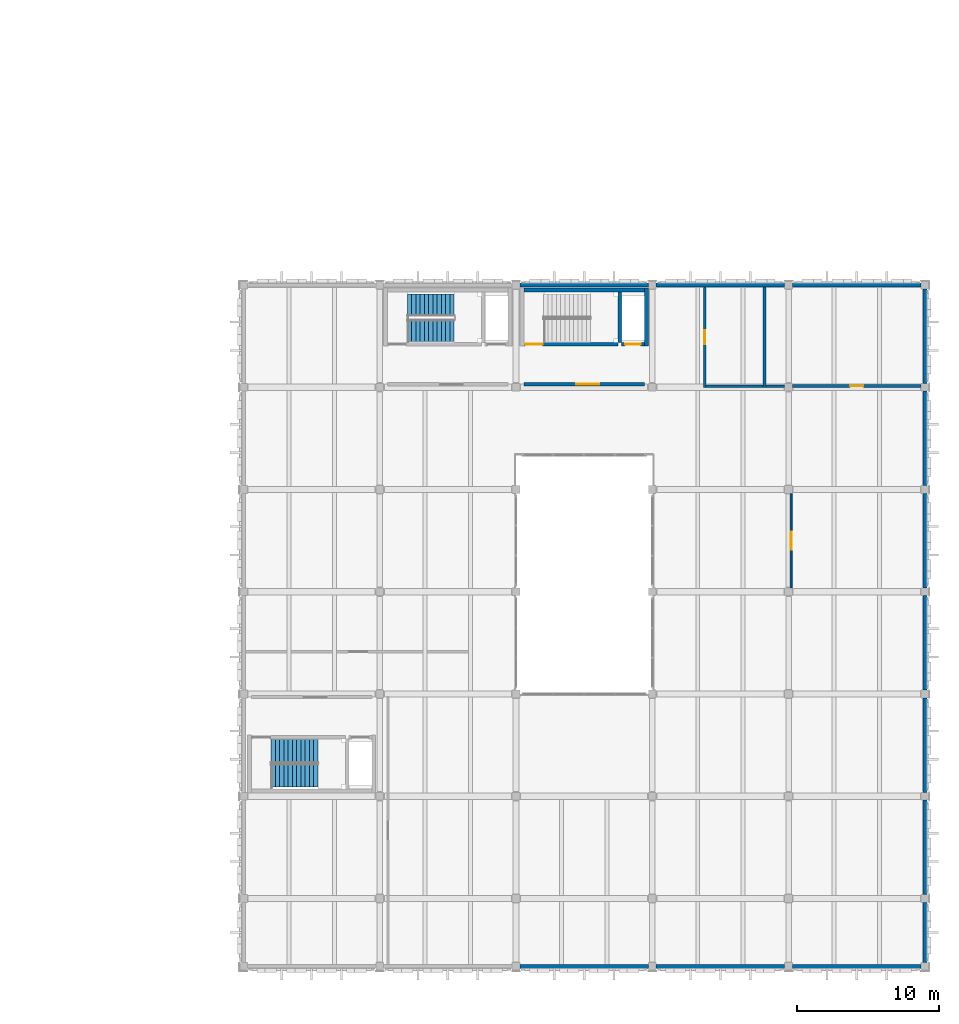
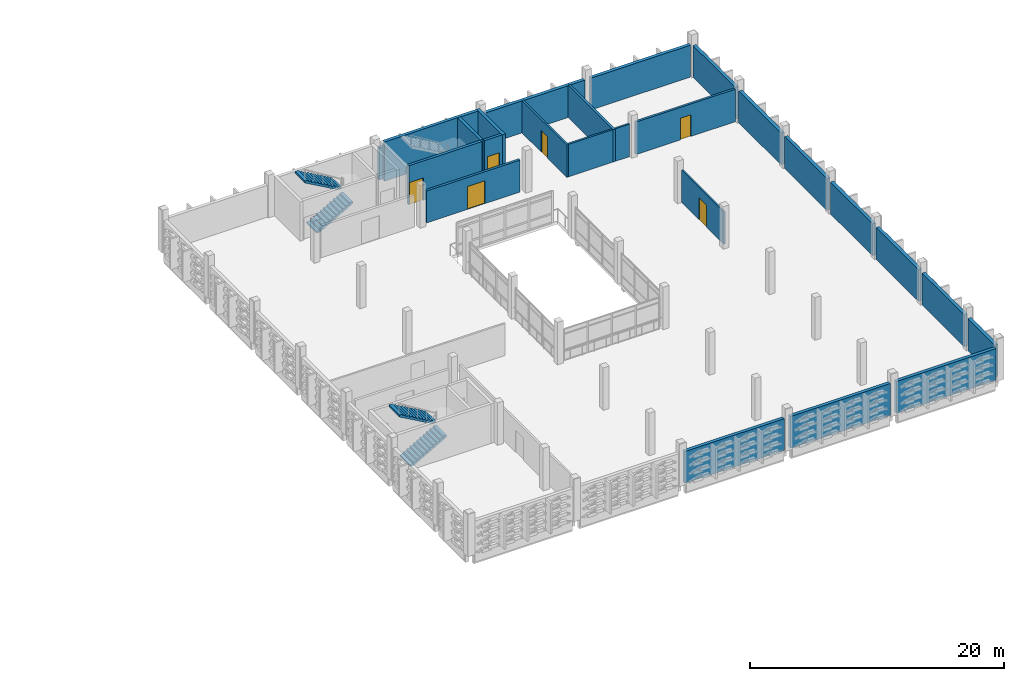
# One storey, part 58 of 72: 25 walls, 6 doors, 4 stair flights, 6 openings, 2 elements without a shape of their own.
"""IFC4 building model written with IfcOpenShell, lengths in metres."""

from ifc_helpers import new_model, si_unit, direction, frame, frame_2d, origin, place, context, subcontext, project, spatial, polyline, rectangle, outline, extrude, material, layer, layer_set, type_object, element, fill, aggregate, save


model = new_model("IFC4")

# Units and contexts
model_context = context("Model", 3, precision=1e-05, world=origin(), true_north=direction((0.0, 1.0)))
body_context = subcontext(model_context, "Body", "Model", "MODEL_VIEW")
ifc_project = project(units=[si_unit("LENGTHUNIT", "METRE"), si_unit("AREAUNIT", "SQUARE_METRE"), si_unit("VOLUMEUNIT", "CUBIC_METRE"), si_unit("PLANEANGLEUNIT", "RADIAN"), si_unit("MASSUNIT", "GRAM", prefix="KILO")], contexts=[model_context])

# Site, building, storey
site_placement = place(None, origin())
site = spatial("IfcSite", under=ifc_project, at=site_placement, CompositionType="ELEMENT")
building_placement = place(site_placement, origin())
building = spatial("IfcBuilding", under=site, at=building_placement, Name="Asteropetra Specialist Clinic", CompositionType="ELEMENT")
storey_placement = place(building_placement, frame((0.0, 0.0, 12.580078125)))
storey = spatial("IfcBuildingStorey", under=building, at=storey_placement, Name="L03", CompositionType="ELEMENT", Elevation=12.580078125)

# Walls
ifc_material_1 = material(Name="Chevron sage", Category="masonry")
ifc_layer_1 = layer(ifc_material_1, 0.294921875)
ifc_layer_set_1 = layer_set([ifc_layer_1], Name="Chevron sage")
wall_type_1 = type_object("IfcWallType", Name="EW-CHEV-AEG-295", PredefinedType="SOLIDWALL", material=ifc_layer_set_1)
for number, where, z_axis, x_axis, name in (
    (1, (125.074951171875, 0.0, 0.0), (0.0, 0.0, 1.0), (1.0, 0.0, 0.0), "Exterior Wall EW-0259"),
    (2, (134.125, 48.0, 0.0), (0.0, 0.0, 1.0), (-1.0, 0.0, 0.0), "Exterior Wall EW-0260"),
    (3, (134.675048828125, 0.0, 0.0), (0.0, 0.0, 1.0), (1.0, 0.0, 0.0), "Exterior Wall EW-0261"),
    (4, (143.72509765625, 48.0, 0.0), (0.0, 0.0, 1.0), (-1.0, 0.0, 0.0), "Exterior Wall EW-0262"),
    (5, (144.27490234375, 0.0, 0.0), (0.0, 0.0, 1.0), (1.0, 0.0, 0.0), "Exterior Wall EW-0263"),
    (6, (153.324951171875, 48.0, 0.0), (0.0, 0.0, 1.0), (-1.0, 0.0, 0.0), "Exterior Wall EW-0264"),
):
    element("IfcWall", number, at=place(storey_placement, frame(where, z_axis=z_axis, x_axis=x_axis)), inside=storey, type_object=wall_type_1, Name=name, PredefinedType="SOLIDWALL", context=body_context, shape_type="SweptSolid", body=[
        extrude(rectangle(XDim=9.050048828125, YDim=0.294921875, at=frame_2d((4.52490234375, 0.0))), origin(), (0.0, 0.0, 1.0), 3.059814453125),
    ])
wall_1_placement = place(storey_placement, frame((153.60009765625, 0.27490234375, 0.0), z_axis=(0.0, 0.0, 1.0), x_axis=(0.0, 1.0, 0.0)))
element("IfcWall", 7, at=wall_1_placement, inside=storey, type_object=wall_type_1, Name="Exterior Wall EW-0266", PredefinedType="SOLIDWALL", context=body_context, shape_type="SweptSolid", body=[
    extrude(rectangle(XDim=4.25, YDim=0.294921875, at=frame_2d((2.125, 0.0))), origin(), (0.0, 0.0, 1.0), 3.059814453125),
])
for number, where, z_axis, x_axis, name in (
    (8, (153.60009765625, 5.074951171875, 0.0), (0.0, 0.0, 1.0), (0.0, 1.0, 0.0), "Exterior Wall EW-0268"),
    (9, (153.60009765625, 12.27490234375, 0.0), (0.0, 0.0, 1.0), (0.0, 1.0, 0.0), "Exterior Wall EW-0270"),
):
    element("IfcWall", number, at=place(storey_placement, frame(where, z_axis=z_axis, x_axis=x_axis)), inside=storey, type_object=wall_type_1, Name=name, PredefinedType="SOLIDWALL", context=body_context, shape_type="SweptSolid", body=[
        extrude(rectangle(XDim=6.650146484375, YDim=0.294921875, at=frame_2d((3.3251953125, 0.0))), origin(), (0.0, 0.0, 1.0), 3.059814453125),
    ])
for number, where, z_axis, x_axis, name in (
    (10, (153.60009765625, 19.47509765625, 0.0), (0.0, 0.0, 1.0), (0.0, 1.0, 0.0), "Exterior Wall EW-0272"),
    (11, (153.60009765625, 26.675048828125, 0.0), (0.0, 0.0, 1.0), (0.0, 1.0, 0.0), "Exterior Wall EW-0274"),
    (12, (153.60009765625, 33.875, 0.0), (0.0, 0.0, 1.0), (0.0, 1.0, 0.0), "Exterior Wall EW-0276"),
):
    element("IfcWall", number, at=place(storey_placement, frame(where, z_axis=z_axis, x_axis=x_axis)), inside=storey, type_object=wall_type_1, Name=name, PredefinedType="SOLIDWALL", context=body_context, shape_type="SweptSolid", body=[
        extrude(rectangle(XDim=6.64990234375, YDim=0.294921875, at=frame_2d((3.324951171875, 0.0))), origin(), (0.0, 0.0, 1.0), 3.059814453125),
    ])
wall_2_placement = place(storey_placement, frame((153.60009765625, 41.074951171875, 0.0), z_axis=(0.0, 0.0, 1.0), x_axis=(0.0, 1.0, 0.0)))
element("IfcWall", 13, at=wall_2_placement, inside=storey, type_object=wall_type_1, Name="Exterior Wall EW-0278", PredefinedType="SOLIDWALL", context=body_context, shape_type="SweptSolid", body=[
    extrude(rectangle(XDim=6.650146484375, YDim=0.294921875, at=frame_2d((3.3251953125, 0.0))), origin(), (0.0, 0.0, 1.0), 3.059814453125),
])

# Wall, opening, door
ifc_material_2 = material(Name="Fire-rated masonry and gypsum", Category="masonry")
ifc_layer_2 = layer(ifc_material_2, 0.219970703125)
ifc_layer_set_2 = layer_set([ifc_layer_2], Name="Fire-rated masonry and gypsum")
wall_type_2 = type_object("IfcWallType", Name="W-COMP-220", PredefinedType="PARTITIONING", material=ifc_layer_set_2)
wall_3_placement = place(storey_placement, frame((125.360107421875, 41.02001953125, 0.0), z_axis=(0.0, 0.0, 1.0), x_axis=(1.0, 0.0, 0.0)))
wall_3 = element("IfcWall", 14, at=wall_3_placement, inside=storey, type_object=wall_type_2, Name="Core Wall CW-C9-L03-LOB", PredefinedType="PARTITIONING", context=body_context, shape_type="SweptSolid", body=[
    extrude(rectangle(XDim=8.47998046875, YDim=0.219970703125, at=frame_2d((4.239990234375, 0.0))), origin(), (0.0, 0.0, 1.0), 3.059814453125),
])
opening_1_placement = place(wall_3_placement, frame((3.699951171875, 0.0, 0.0)))
opening_1 = element("IfcOpeningElement", 15, at=opening_1_placement, cuts=wall_3, Name="Opening FD-082", PredefinedType="OPENING", context=body_context, shape_type="SweptSolid", body=[
    extrude(rectangle(XDim=1.60009765625, YDim=2.199951171875, at=frame_2d((0.800048828125, 1.10009765625))), frame((0.0, 0.119873046875, 0.0), z_axis=(0.0, -1.0, 0.0), x_axis=(1.0, 0.0, 0.0)), (0.0, 0.0, 1.0), 0.239990234375),
])
ifc_material_3 = material(Name="Fire-rated steel and vision glass door", Category="steel")
door_type_1 = type_object("IfcDoorType", Name="FD-LOBBY-1600", OperationType="DOUBLE_DOOR_SINGLE_SWING", PredefinedType="DOOR", material=ifc_material_3)
door_1_placement = place(opening_1_placement, origin())
door_1 = element("IfcDoor", 16, at=door_1_placement, inside=storey, type_object=door_type_1, Name="Lobby Fire Door FD-082", OperationType="DOUBLE_DOOR_SINGLE_SWING", OverallHeight=2.199951171875, OverallWidth=1.60009765625, PredefinedType="DOOR", context=body_context, shape_type="SweptSolid", body=[
    extrude(rectangle(XDim=1.60009765625, YDim=2.199951171875, at=frame_2d((0.800048828125, 1.10009765625))), frame((0.0, 0.02490234375, 0.0), z_axis=(0.0, -1.0, 0.0), x_axis=(1.0, 0.0, 0.0)), (0.0, 0.0, 1.0), 0.050048828125),
])
fill(opening_1, door_1)

# Walls
ifc_material_4 = material(Name="Concrete C35/45", Category="concrete")
ifc_layer_3 = layer(ifc_material_4, 0.280029296875)
ifc_layer_set_3 = layer_set([ifc_layer_3], Name="Concrete C35/45")
wall_type_3 = type_object("IfcWallType", Name="W-CORE-280", PredefinedType="SHEAR", material=ifc_layer_set_3)
wall_4_placement = place(storey_placement, frame((133.97998046875, 43.699951171875, 0.0), z_axis=(0.0, 0.0, 1.0), x_axis=(0.0, 1.0, 0.0)))
element("IfcWall", 17, at=wall_4_placement, inside=storey, type_object=wall_type_3, Name="Core Wall CW-C9-L03-E", PredefinedType="SHEAR", context=body_context, shape_type="SweptSolid", body=[
    extrude(rectangle(XDim=4.080078125, YDim=0.280029296875, at=frame_2d((2.0400390625, 0.0))), origin(), (0.0, 0.0, 1.0), 3.780029296875),
])
wall_5_placement = place(storey_placement, frame((125.35498046875, 47.639892578125, 0.0), z_axis=(0.0, 0.0, 1.0), x_axis=(1.0, 0.0, 0.0)))
element("IfcWall", 18, at=wall_5_placement, inside=storey, type_object=wall_type_3, Name="Core Wall CW-C9-L03-BACK", PredefinedType="SHEAR", context=body_context, shape_type="SweptSolid", body=[
    extrude(rectangle(XDim=8.489990234375, YDim=0.280029296875, at=frame_2d((4.2451171875, 0.0))), origin(), (0.0, 0.0, 1.0), 3.780029296875),
])

# Wall, opening, door
ifc_material_5 = material(Name="Laboratory partition", Category="masonry")
ifc_layer_4 = layer(ifc_material_5, 0.139892578125)
ifc_layer_set_4 = layer_set([ifc_layer_4], Name="Laboratory partition")
wall_type_4 = type_object("IfcWallType", Name="W-PART-140", PredefinedType="PARTITIONING", material=ifc_layer_set_4)
wall_6_placement = place(storey_placement, frame((144.179931640625, 26.679931640625, 0.0), z_axis=(0.0, 0.0, 1.0), x_axis=(0.0, 1.0, 0.0)))
wall_6 = element("IfcWall", 19, at=wall_6_placement, inside=storey, type_object=wall_type_4, Name="Interior Partition PW-0157", PredefinedType="PARTITIONING", context=body_context, shape_type="SweptSolid", body=[
    extrude(rectangle(XDim=6.64013671875, YDim=0.139892578125, at=frame_2d((3.320068359375, 0.0))), origin(), (0.0, 0.0, 1.0), 3.119873046875),
])
opening_2_placement = place(wall_6_placement, frame((2.695068359375, 0.0, 0.0)))
opening_2 = element("IfcOpeningElement", 20, at=opening_2_placement, cuts=wall_6, Name="Opening ID-0105", PredefinedType="OPENING", context=body_context, shape_type="SweptSolid", body=[
    extrude(rectangle(XDim=1.25, YDim=2.1201171875, at=frame_2d((0.625, 1.06005859375))), frame((0.0, 0.079833984375, 0.0), z_axis=(0.0, -1.0, 0.0), x_axis=(1.0, 0.0, 0.0)), (0.0, 0.0, 1.0), 0.159912109375),
])
ifc_material_6 = material(Name="Antimicrobial laminate timber leaf in steel frame", Category="steel")
door_type_2 = type_object("IfcDoorType", Name="ID-SEMIN-1250", OperationType="NOTDEFINED", PredefinedType="DOOR", material=ifc_material_6)
door_2_placement = place(opening_2_placement, origin())
door_2 = element("IfcDoor", 21, at=door_2_placement, inside=storey, type_object=door_type_2, Name="Interior Door ID-0105", OperationType="SINGLE_SWING_RIGHT", OverallHeight=2.1201171875, OverallWidth=1.25, PredefinedType="DOOR", context=body_context, shape_type="SweptSolid", body=[
    extrude(rectangle(XDim=1.25, YDim=2.1201171875, at=frame_2d((0.625, 1.06005859375))), frame((0.0, 0.02490234375, 0.0), z_axis=(0.0, -1.0, 0.0), x_axis=(1.0, 0.0, 0.0)), (0.0, 0.0, 1.0), 0.050048828125),
])
fill(opening_2, door_2)

ifc_material_7 = material(Name="En-suite plumbing wall", Category="masonry")
ifc_layer_5 = layer(ifc_material_7, 0.169921875)
ifc_layer_set_5 = layer_set([ifc_layer_5], Name="En-suite plumbing wall")
wall_type_5 = type_object("IfcWallType", Name="W-PLUMB-170", PredefinedType="PLUMBINGWALL", material=ifc_layer_set_5)
wall_7_placement = place(storey_placement, frame((138.090087890625, 40.794921875, 0.0), z_axis=(0.0, 0.0, 1.0), x_axis=(0.0, 1.0, 0.0)))
wall_7 = element("IfcWall", 22, at=wall_7_placement, inside=storey, type_object=wall_type_5, Name="Interior Partition PW-0143", PredefinedType="PLUMBINGWALL", context=body_context, shape_type="SweptSolid", body=[
    extrude(rectangle(XDim=7.0556640625, YDim=0.169921875, at=frame_2d((3.52783203125, 0.0))), origin(), (0.0, 0.0, 1.0), 3.10986328125),
])
opening_3_placement = place(wall_7_placement, frame((3.03759765625, 0.0, 0.0)))
opening_3 = element("IfcOpeningElement", 23, at=opening_3_placement, cuts=wall_7, Name="Opening ID-0094", PredefinedType="OPENING", context=body_context, shape_type="SweptSolid", body=[
    extrude(rectangle(XDim=0.97998046875, YDim=2.080078125, at=frame_2d((0.489990234375, 1.0400390625))), frame((0.0, 0.094970703125, 0.0), z_axis=(0.0, -1.0, 0.0), x_axis=(1.0, 0.0, 0.0)), (0.0, 0.0, 1.0), 0.18994140625),
])
ifc_material_8 = material(Name="Antimicrobial laminate timber leaf in steel frame", Category="steel")
door_type_3 = type_object("IfcDoorType", Name="ID-AWC-0980", OperationType="NOTDEFINED", PredefinedType="DOOR", material=ifc_material_8)
door_3_placement = place(opening_3_placement, origin())
door_3 = element("IfcDoor", 24, at=door_3_placement, inside=storey, type_object=door_type_3, Name="Interior Door ID-0094", OperationType="SINGLE_SWING_LEFT", OverallHeight=2.080078125, OverallWidth=0.97998046875, PredefinedType="DOOR", context=body_context, shape_type="SweptSolid", body=[
    extrude(rectangle(XDim=0.97998046875, YDim=2.080078125, at=frame_2d((0.489990234375, 1.0400390625))), frame((0.0, 0.02490234375, 0.0), z_axis=(0.0, -1.0, 0.0), x_axis=(1.0, 0.0, 0.0)), (0.0, 0.0, 1.0), 0.050048828125),
])
fill(opening_3, door_3)

# Walls
wall_8_placement = place(storey_placement, frame((138.177001953125, 40.889892578125, 0.0), z_axis=(0.0, 0.0, 1.0), x_axis=(1.0, 0.0, 0.0)))
element("IfcWall", 25, at=wall_8_placement, inside=storey, type_object=wall_type_5, Name="Interior Partition PW-0145", PredefinedType="PLUMBINGWALL", context=body_context, shape_type="SweptSolid", body=[
    extrude(rectangle(XDim=4.031005859375, YDim=0.169921875, at=frame_2d((2.015625, 0.0))), origin(), (0.0, 0.0, 1.0), 3.119873046875),
])
wall_9_placement = place(storey_placement, frame((142.412109375, 40.889892578125, 0.0), z_axis=(0.0, 0.0, 1.0), x_axis=(1.0, 0.0, 0.0)))
element("IfcWall", 26, at=wall_9_placement, inside=storey, type_object=wall_type_5, Name="Interior Partition PW-0147", PredefinedType="PLUMBINGWALL", context=body_context, shape_type="SweptSolid", body=[
    extrude(rectangle(XDim=1.307861328125, YDim=0.169921875, at=frame_2d((0.65380859375, 0.0))), origin(), (0.0, 0.0, 1.0), 3.119873046875),
])
ifc_material_9 = material(Name="Sanitary service-chase wall", Category="masonry")
ifc_layer_6 = layer(ifc_material_9, 0.199951171875)
ifc_layer_set_6 = layer_set([ifc_layer_6], Name="Sanitary service-chase wall")
wall_type_6 = type_object("IfcWallType", Name="W-PLUMB-200", PredefinedType="PLUMBINGWALL", material=ifc_layer_set_6)
wall_10_placement = place(storey_placement, frame((142.31005859375, 40.794921875, 0.0), z_axis=(0.0, 0.0, 1.0), x_axis=(0.0, 1.0, 0.0)))
element("IfcWall", 27, at=wall_10_placement, inside=storey, type_object=wall_type_6, Name="Interior Partition PW-0144", PredefinedType="PLUMBINGWALL", context=body_context, shape_type="SweptSolid", body=[
    extrude(rectangle(XDim=7.0556640625, YDim=0.199951171875, at=frame_2d((3.52783203125, 0.0))), origin(), (0.0, 0.0, 1.0), 3.10986328125),
])

# Wall, opening, door
wall_11_placement = place(storey_placement, frame((144.280029296875, 40.889892578125, 0.0), z_axis=(0.0, 0.0, 1.0), x_axis=(1.0, 0.0, 0.0)))
wall_11 = element("IfcWall", 28, at=wall_11_placement, inside=storey, type_object=wall_type_6, Name="Interior Partition PW-0146", PredefinedType="PLUMBINGWALL", context=body_context, shape_type="SweptSolid", body=[
    extrude(rectangle(XDim=9.0400390625, YDim=0.199951171875, at=frame_2d((4.52001953125, 0.0))), origin(), (0.0, 0.0, 1.0), 3.119873046875),
])
opening_4_placement = place(wall_11_placement, frame((4.06005859375, 0.0, 0.0)))
opening_4 = element("IfcOpeningElement", 29, at=opening_4_placement, cuts=wall_11, Name="Opening ID-0095", PredefinedType="OPENING", context=body_context, shape_type="SweptSolid", body=[
    extrude(rectangle(XDim=0.919921875, YDim=2.080078125, at=frame_2d((0.4599609375, 1.0400390625))), frame((0.0, 0.10986328125, 0.0), z_axis=(0.0, -1.0, 0.0), x_axis=(1.0, 0.0, 0.0)), (0.0, 0.0, 1.0), 0.219970703125),
])
ifc_material_10 = material(Name="Antimicrobial laminate timber leaf in steel frame", Category="steel")
door_type_4 = type_object("IfcDoorType", Name="ID-WC-0920", OperationType="NOTDEFINED", PredefinedType="DOOR", material=ifc_material_10)
door_4_placement = place(opening_4_placement, origin())
door_4 = element("IfcDoor", 30, at=door_4_placement, inside=storey, type_object=door_type_4, Name="Interior Door ID-0095", OperationType="SINGLE_SWING_RIGHT", OverallHeight=2.080078125, OverallWidth=0.919921875, PredefinedType="DOOR", context=body_context, shape_type="SweptSolid", body=[
    extrude(rectangle(XDim=0.919921875, YDim=2.080078125, at=frame_2d((0.4599609375, 1.0400390625))), frame((0.0, 0.02490234375, 0.0), z_axis=(0.0, -1.0, 0.0), x_axis=(1.0, 0.0, 0.0)), (0.0, 0.0, 1.0), 0.050048828125),
])
fill(opening_4, door_4)

# Wall
ifc_material_11 = material(Name="Concrete C35/45", Category="concrete")
ifc_layer_7 = layer(ifc_material_11, 0.25)
ifc_layer_set_7 = layer_set([ifc_layer_7], Name="Concrete C35/45")
wall_type_7 = type_object("IfcWallType", Name="W-SHAFT-250", PredefinedType="SHEAR", material=ifc_layer_set_7)
wall_12_placement = place(storey_placement, frame((132.10009765625, 43.9599609375, 0.0), z_axis=(0.0, 0.0, 1.0), x_axis=(0.0, 1.0, 0.0)))
element("IfcWall", 31, at=wall_12_placement, inside=storey, type_object=wall_type_7, Name="Core Wall CW-C9-L03-MID", PredefinedType="SHEAR", context=body_context, shape_type="SweptSolid", body=[
    extrude(rectangle(XDim=3.5400390625, YDim=0.25, at=frame_2d((1.77001953125, 0.0))), origin(), (0.0, 0.0, 1.0), 3.780029296875),
])

# Wall, opening, door
wall_13_placement = place(storey_placement, frame((125.35498046875, 43.840087890625, 0.0), z_axis=(0.0, 0.0, 1.0), x_axis=(1.0, 0.0, 0.0)))
wall_13 = element("IfcWall", 32, at=wall_13_placement, inside=storey, type_object=wall_type_7, Name="Core Wall CW-C9-L03-STDIV", PredefinedType="SHEAR", context=body_context, shape_type="SweptSolid", body=[
    extrude(rectangle(XDim=6.625, YDim=0.25, at=frame_2d((3.3125, 0.0))), origin(), (0.0, 0.0, 1.0), 3.780029296875),
])
opening_5_placement = place(wall_13_placement, frame((0.080078125, 0.0, 0.0)))
opening_5 = element("IfcOpeningElement", 33, at=opening_5_placement, cuts=wall_13, Name="Opening FD-081", PredefinedType="OPENING", context=body_context, shape_type="SweptSolid", body=[
    extrude(rectangle(XDim=1.239990234375, YDim=2.14990234375, at=frame_2d((0.6201171875, 1.074951171875))), frame((0.0, 0.135009765625, 0.0), z_axis=(0.0, -1.0, 0.0), x_axis=(1.0, 0.0, 0.0)), (0.0, 0.0, 1.0), 0.27001953125),
])
ifc_material_12 = material(Name="Fire-rated steel and vision glass door", Category="steel")
door_type_5 = type_object("IfcDoorType", Name="FD-STAIR-1400", OperationType="DOUBLE_DOOR_SINGLE_SWING", PredefinedType="DOOR", material=ifc_material_12)
door_5_placement = place(opening_5_placement, origin())
door_5 = element("IfcDoor", 34, at=door_5_placement, inside=storey, type_object=door_type_5, Name="Stair Fire Door FD-081", OperationType="DOUBLE_DOOR_SINGLE_SWING", OverallHeight=2.14990234375, OverallWidth=1.239990234375, PredefinedType="DOOR", context=body_context, shape_type="SweptSolid", body=[
    extrude(rectangle(XDim=1.239990234375, YDim=2.14990234375, at=frame_2d((0.6201171875, 1.074951171875))), frame((0.0, 0.02490234375, 0.0), z_axis=(0.0, -1.0, 0.0), x_axis=(1.0, 0.0, 0.0)), (0.0, 0.0, 1.0), 0.050048828125),
])
fill(opening_5, door_5)

wall_14_placement = place(storey_placement, frame((132.219970703125, 43.840087890625, 0.0), z_axis=(0.0, 0.0, 1.0), x_axis=(1.0, 0.0, 0.0)))
wall_14 = element("IfcWall", 35, at=wall_14_placement, inside=storey, type_object=wall_type_7, Name="Lift Shaft Front Wall CW-C9-L03-LFTF", PredefinedType="SHEAR", context=body_context, shape_type="SweptSolid", body=[
    extrude(rectangle(XDim=1.625, YDim=0.25, at=frame_2d((0.8125, 0.0))), origin(), (0.0, 0.0, 1.0), 3.780029296875),
])
opening_6_placement = place(wall_14_placement, frame((0.262451171875, 0.0, 0.0)))
opening_6 = element("IfcOpeningElement", 36, at=opening_6_placement, cuts=wall_14, Name="Opening LD-041", PredefinedType="OPENING", context=body_context, shape_type="SweptSolid", body=[
    extrude(rectangle(XDim=1.10009765625, YDim=2.14990234375, at=frame_2d((0.550048828125, 1.074951171875))), frame((0.0, 0.135009765625, 0.0), z_axis=(0.0, -1.0, 0.0), x_axis=(1.0, 0.0, 0.0)), (0.0, 0.0, 1.0), 0.27001953125),
])
ifc_material_13 = material(Name="Brushed stainless steel sliding lift landing door", Category="steel")
door_type_6 = type_object("IfcDoorType", Name="LD-PASS-1100", OperationType="DOUBLE_DOOR_SLIDING", PredefinedType="DOOR", material=ifc_material_13)
door_6_placement = place(opening_6_placement, origin())
door_6 = element("IfcDoor", 37, at=door_6_placement, inside=storey, type_object=door_type_6, Name="Lift Landing Door LD-041", OperationType="DOUBLE_DOOR_SLIDING", OverallHeight=2.14990234375, OverallWidth=1.10009765625, PredefinedType="DOOR", context=body_context, shape_type="SweptSolid", body=[
    extrude(rectangle(XDim=1.10009765625, YDim=2.14990234375, at=frame_2d((0.550048828125, 1.074951171875))), frame((0.0, 0.02490234375, 0.0), z_axis=(0.0, -1.0, 0.0), x_axis=(1.0, 0.0, 0.0)), (0.0, 0.0, 1.0), 0.050048828125),
])
fill(opening_6, door_6)

# Stair, stair flights
ifc_material_14 = material(Name="Concrete C35/45", Category="concrete")
stair_type_1 = type_object("IfcStairType", Name="STR-DOG-155", PredefinedType="TWO_STRAIGHT_RUN_STAIR", material=ifc_material_14)
stair_1_placement = place(storey_placement, origin())
stair_1 = element("IfcStair", 38, at=stair_1_placement, inside=storey, type_object=stair_type_1, Name="Type I Stair ST10-L03", PredefinedType="TWO_STRAIGHT_RUN_STAIR")
ifc_material_15 = material(Name="Concrete C35/45", Category="concrete")
ifc_layer_8 = layer(ifc_material_15, 0.179931640625)
ifc_layer_set_8 = layer_set([ifc_layer_8], Name="Concrete C35/45")
stair_flight_type_1 = type_object("IfcStairFlightType", Name="SFL-STR-155", PredefinedType="STRAIGHT", material=ifc_layer_set_8)
stair_flight_1_placement = place(storey_placement, frame((117.14990234375, 44.794921875, 0.0), z_axis=(0.0, 0.0, 1.0), x_axis=(1.0, 0.0, 0.0)))
stair_flight_1 = element("IfcStairFlight", 39, at=stair_flight_1_placement, type_object=stair_flight_type_1, Name="ST10-L03 flight 1", NumberOfRisers=12, NumberOfTreads=11, PredefinedType="STRAIGHT", RiserHeight=0.17, TreadLength=0.3, context=body_context, shape_type="SweptSolid", body=[
    extrude(outline(polyline([(0.0, 0.0), (0.0, 0.169921875), (0.300048828125, 0.169921875), (0.300048828125, 0.340087890625), (0.60009765625, 0.340087890625), (0.60009765625, 0.510009765625), (0.89990234375, 0.510009765625), (0.89990234375, 0.679931640625), (1.199951171875, 0.679931640625), (1.199951171875, 0.85009765625), (1.5, 0.85009765625), (1.5, 1.02001953125), (1.800048828125, 1.02001953125), (1.800048828125, 1.18994140625), (2.10009765625, 1.18994140625), (2.10009765625, 1.360107421875), (2.39990234375, 1.360107421875), (2.39990234375, 1.530029296875), (2.699951171875, 1.530029296875), (2.699951171875, 1.699951171875), (3.0, 1.699951171875), (3.0, 1.8701171875), (3.300048828125, 1.8701171875), (3.300048828125, 2.0400390625), (3.300048828125, 1.686279296875), (0.324462890625, 0.0), (0.0, 0.0)])), frame((0.0, 0.77490234375, 0.0), z_axis=(0.0, -1.0, 0.0), x_axis=(1.0, 0.0, 0.0)), (0.0, 0.0, 1.0), 1.550048828125),
])
stair_flight_2_placement = place(storey_placement, frame((120.449951171875, 46.5849609375, 2.0400390625), z_axis=(0.0, 0.0, 1.0), x_axis=(-1.0, 0.0, 0.0)))
stair_flight_2 = element("IfcStairFlight", 40, at=stair_flight_2_placement, type_object=stair_flight_type_1, Name="ST10-L03 flight 2", NumberOfRisers=12, NumberOfTreads=11, PredefinedType="STRAIGHT", RiserHeight=0.17, TreadLength=0.3, context=body_context, shape_type="SweptSolid", body=[
    extrude(outline(polyline([(0.0, 0.0), (0.0, 0.169921875), (0.300048828125, 0.169921875), (0.300048828125, 0.340087890625), (0.60009765625, 0.340087890625), (0.60009765625, 0.510009765625), (0.89990234375, 0.510009765625), (0.89990234375, 0.679931640625), (1.199951171875, 0.679931640625), (1.199951171875, 0.85009765625), (1.5, 0.85009765625), (1.5, 1.02001953125), (1.800048828125, 1.02001953125), (1.800048828125, 1.18994140625), (2.10009765625, 1.18994140625), (2.10009765625, 1.360107421875), (2.39990234375, 1.360107421875), (2.39990234375, 1.530029296875), (2.699951171875, 1.530029296875), (2.699951171875, 1.699951171875), (3.0, 1.699951171875), (3.0, 1.8701171875), (3.300048828125, 1.8701171875), (3.300048828125, 2.0400390625), (3.300048828125, 1.686279296875), (0.324462890625, 0.0), (0.0, 0.0)])), frame((0.0, 0.77490234375, 0.0), z_axis=(0.0, -1.0, 0.0), x_axis=(1.0, 0.0, 0.0)), (0.0, 0.0, 1.0), 1.550048828125),
])
aggregate(stair_1, [stair_flight_1, stair_flight_2])

ifc_material_16 = material(Name="Concrete C35/45", Category="concrete")
stair_type_2 = type_object("IfcStairType", Name="STR-DOG-165", PredefinedType="TWO_STRAIGHT_RUN_STAIR", material=ifc_material_16)
stair_2_placement = place(storey_placement, origin())
stair_2 = element("IfcStair", 41, at=stair_2_placement, inside=storey, type_object=stair_type_2, Name="Type I Stair ST08-L03", PredefinedType="TWO_STRAIGHT_RUN_STAIR")
ifc_material_17 = material(Name="Concrete C35/45", Category="concrete")
ifc_layer_9 = layer(ifc_material_17, 0.179931640625)
ifc_layer_set_9 = layer_set([ifc_layer_9], Name="Concrete C35/45")
stair_flight_type_2 = type_object("IfcStairFlightType", Name="SFL-STR-165", PredefinedType="STRAIGHT", material=ifc_layer_set_9)
stair_flight_3_placement = place(storey_placement, frame((107.550048828125, 13.465087890625, 0.0), z_axis=(0.0, 0.0, 1.0), x_axis=(1.0, 0.0, 0.0)))
stair_flight_3 = element("IfcStairFlight", 42, at=stair_flight_3_placement, type_object=stair_flight_type_2, Name="ST08-L03 flight 1", NumberOfRisers=12, NumberOfTreads=11, PredefinedType="STRAIGHT", RiserHeight=0.17, TreadLength=0.3, context=body_context, shape_type="SweptSolid", body=[
    extrude(outline(polyline([(0.0, 0.0), (0.0, 0.169921875), (0.300048828125, 0.169921875), (0.300048828125, 0.340087890625), (0.60009765625, 0.340087890625), (0.60009765625, 0.510009765625), (0.89990234375, 0.510009765625), (0.89990234375, 0.679931640625), (1.199951171875, 0.679931640625), (1.199951171875, 0.85009765625), (1.5, 0.85009765625), (1.5, 1.02001953125), (1.800048828125, 1.02001953125), (1.800048828125, 1.18994140625), (2.10009765625, 1.18994140625), (2.10009765625, 1.360107421875), (2.39990234375, 1.360107421875), (2.39990234375, 1.530029296875), (2.699951171875, 1.530029296875), (2.699951171875, 1.699951171875), (3.0, 1.699951171875), (3.0, 1.8701171875), (3.300048828125, 1.8701171875), (3.300048828125, 2.0400390625), (3.300048828125, 1.686279296875), (0.324462890625, 0.0), (0.0, 0.0)])), frame((0.0, 0.824951171875, 0.0), z_axis=(0.0, -1.0, 0.0), x_axis=(1.0, 0.0, 0.0)), (0.0, 0.0, 1.0), 1.64990234375),
])
stair_flight_4_placement = place(storey_placement, frame((110.85009765625, 15.155029296875, 2.0400390625), z_axis=(0.0, 0.0, 1.0), x_axis=(-1.0, 0.0, 0.0)))
stair_flight_4 = element("IfcStairFlight", 43, at=stair_flight_4_placement, type_object=stair_flight_type_2, Name="ST08-L03 flight 2", NumberOfRisers=12, NumberOfTreads=11, PredefinedType="STRAIGHT", RiserHeight=0.17, TreadLength=0.3, context=body_context, shape_type="SweptSolid", body=[
    extrude(outline(polyline([(0.0, 0.0), (0.0, 0.169921875), (0.300048828125, 0.169921875), (0.300048828125, 0.340087890625), (0.60009765625, 0.340087890625), (0.60009765625, 0.510009765625), (0.89990234375, 0.510009765625), (0.89990234375, 0.679931640625), (1.199951171875, 0.679931640625), (1.199951171875, 0.85009765625), (1.5, 0.85009765625), (1.5, 1.02001953125), (1.800048828125, 1.02001953125), (1.800048828125, 1.18994140625), (2.10009765625, 1.18994140625), (2.10009765625, 1.360107421875), (2.39990234375, 1.360107421875), (2.39990234375, 1.530029296875), (2.699951171875, 1.530029296875), (2.699951171875, 1.699951171875), (3.0, 1.699951171875), (3.0, 1.8701171875), (3.300048828125, 1.8701171875), (3.300048828125, 2.0400390625), (3.300048828125, 1.686279296875), (0.324462890625, 0.0), (0.0, 0.0)])), frame((0.0, 0.824951171875, 0.0), z_axis=(0.0, -1.0, 0.0), x_axis=(1.0, 0.0, 0.0)), (0.0, 0.0, 1.0), 1.64990234375),
])
aggregate(stair_2, [stair_flight_3, stair_flight_4])

save(model, "model.ifc")
